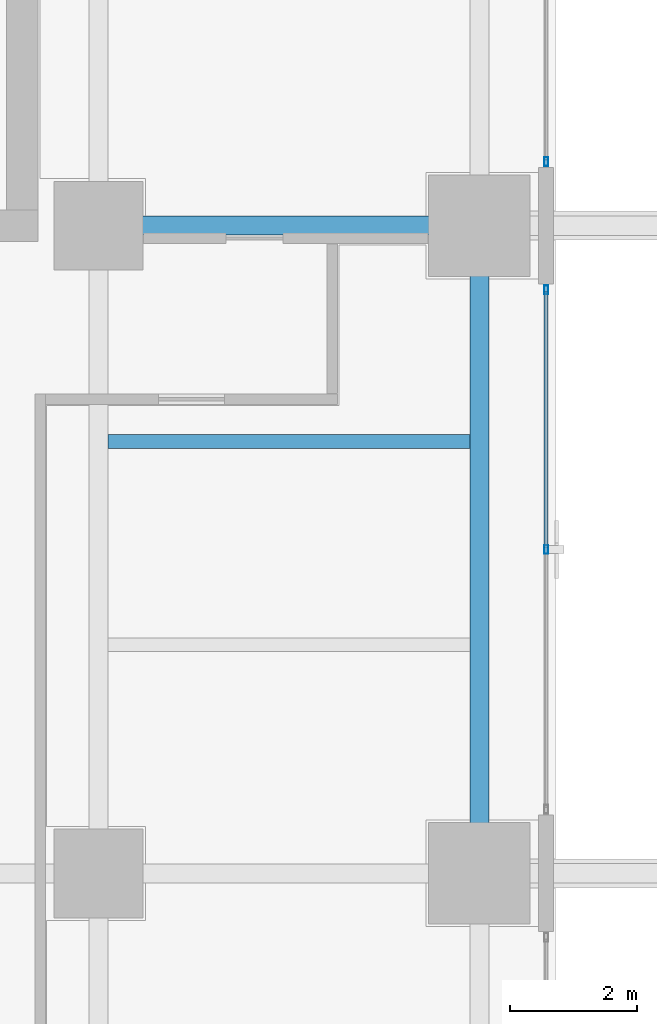
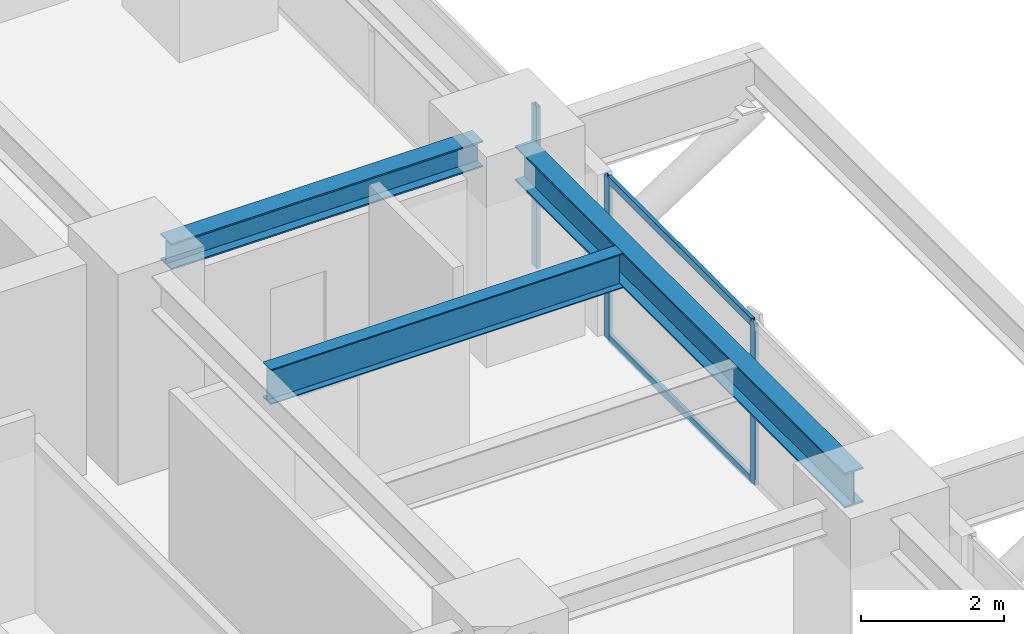
# One storey, part 18 of 31: 5 members, 3 beams, 2 elements without a shape of their own.
"""IFC4 building model written with IfcOpenShell, lengths in metres."""

from ifc_helpers import new_model, si_unit, direction, frame, origin, origin_2d, place, context, subcontext, project, spatial, hollow_rectangle, i_section, extrude, source, transform, mapped, material, layer, layer_set, material_profile, profile_set, type_object, element, aggregate, save


model = new_model("IFC4")

# Units and contexts
model_context = context("Model", 3, precision=1e-05, world=origin(), true_north=direction((0.0, 1.0)))
body_context = subcontext(model_context, "Body", "Model", "MODEL_VIEW")
ifc_project = project(units=[si_unit("LENGTHUNIT", "METRE"), si_unit("AREAUNIT", "SQUARE_METRE"), si_unit("VOLUMEUNIT", "CUBIC_METRE"), si_unit("PLANEANGLEUNIT", "RADIAN"), si_unit("MASSUNIT", "GRAM", prefix="KILO")], contexts=[model_context])

# Site, building, storey
site_placement = place(None, origin())
site = spatial("IfcSite", under=ifc_project, at=site_placement, CompositionType="ELEMENT")
building_placement = place(site_placement, origin())
building = spatial("IfcBuilding", under=site, at=building_placement, Name="Sumidabori Civic Tower", CompositionType="ELEMENT")
storey_placement = place(building_placement, frame((0.0, 0.0, 221.60009765625)))
storey = spatial("IfcBuildingStorey", under=building, at=storey_placement, Name="L57", CompositionType="ELEMENT", Elevation=221.60009765625)

# Beams
ifc_material_1 = material(Name="Steel SN490", Category="steel")
ifc_material_profile_1 = material_profile(ifc_material_1, i_section(OverallWidth=0.300048828125, OverallDepth=0.60009765625, WebThickness=0.015380859375, FlangeThickness=0.030029296875, at=origin_2d()), Name="HE 600 B")
ifc_profile_set_1 = profile_set([ifc_material_profile_1], Name="Steel SN490")
beam_type_1 = type_object("IfcBeamType", Name="BM-GIRD-600", PredefinedType="BEAM", material=ifc_profile_set_1)
shared_shape_1 = source(origin(), body_context, "Body", "SweptSolid", [
    extrude(i_section(OverallWidth=0.300048828125, OverallDepth=0.60009765625, WebThickness=0.015380859375, FlangeThickness=0.030029296875, at=origin_2d()), origin(), (0.0, 0.0, 1.0), 9.239990234375),
])
beam_1_placement = place(storey_placement, frame((22.800048828125, 0.47998046875, 3.079833984375), z_axis=(0.0, 1.0, 0.0), x_axis=(-1.0, 0.0, 0.0)))
element("IfcBeam", 1, at=beam_1_placement, inside=storey, type_object=beam_type_1, Name="Primary Girder L57 GY-23", PredefinedType="BEAM", context=body_context, shape_type="MappedRepresentation", body=[
    mapped(shared_shape_1, transform((0.0, 0.0, 0.0), x_axis=(1.0, 0.0, 0.0), y_axis=(0.0, 1.0, 0.0), z_axis=(0.0, 0.0, 1.0), scale=1.0)),
])
ifc_material_profile_2 = material_profile(ifc_material_1, i_section(OverallWidth=0.219970703125, OverallDepth=0.60009765625, WebThickness=0.011962890625, FlangeThickness=0.01904296875, at=origin_2d()), Name="IPE 600")
ifc_profile_set_2 = profile_set([ifc_material_profile_2], Name="Steel SN490")
beam_type_2 = type_object("IfcBeamType", Name="BM-JST-600", PredefinedType="JOIST", material=ifc_profile_set_2)
shared_shape_2 = source(origin(), body_context, "Body", "SweptSolid", [
    extrude(i_section(OverallWidth=0.219970703125, OverallDepth=0.60009765625, WebThickness=0.011962890625, FlangeThickness=0.01904296875, at=origin_2d()), origin(), (0.0, 0.0, 1.0), 5.699951171875),
])
beam_2_placement = place(storey_placement, frame((16.949951171875, 6.800048828125, 3.079833984375), z_axis=(1.0, 0.0, 0.0), x_axis=(0.0, 1.0, 0.0)))
element("IfcBeam", 2, at=beam_2_placement, inside=storey, type_object=beam_type_2, Name="Outer Bay Floor Joist L57 JSTO-32", PredefinedType="JOIST", context=body_context, shape_type="MappedRepresentation", body=[
    mapped(shared_shape_2, transform((0.0, 0.0, 0.0), x_axis=(1.0, 0.0, 0.0), y_axis=(0.0, 1.0, 0.0), z_axis=(0.0, 0.0, 1.0), scale=1.0)),
])
ifc_material_profile_3 = material_profile(ifc_material_1, i_section(OverallWidth=0.300048828125, OverallDepth=0.449951171875, WebThickness=0.013916015625, FlangeThickness=0.02587890625, at=origin_2d()), Name="HE 450 B")
ifc_profile_set_3 = profile_set([ifc_material_profile_3], Name="Steel SN490")
beam_type_3 = type_object("IfcBeamType", Name="BM-GIRD-450", PredefinedType="BEAM", material=ifc_profile_set_3)
shared_shape_3 = source(origin(), body_context, "Body", "SweptSolid", [
    extrude(i_section(OverallWidth=0.300048828125, OverallDepth=0.449951171875, WebThickness=0.013916015625, FlangeThickness=0.02587890625, at=origin_2d()), origin(), (0.0, 0.0, 1.0), 5.0400390625),
])
beam_3_placement = place(storey_placement, frame((17.280029296875, 10.199951171875, 3.15478515625), z_axis=(1.0, 0.0, 0.0), x_axis=(0.0, 1.0, 0.0)))
element("IfcBeam", 3, at=beam_3_placement, inside=storey, type_object=beam_type_3, Name="Primary Girder L57 GX-10", PredefinedType="BEAM", context=body_context, shape_type="MappedRepresentation", body=[
    mapped(shared_shape_3, transform((0.0, 0.0, 0.0), x_axis=(1.0, 0.0, 0.0), y_axis=(0.0, 1.0, 0.0), z_axis=(0.0, 0.0, 1.0), scale=1.0)),
])

# Curtain wall, members
ifc_material_2 = material(Name="Anodised Bronze Aluminium AW-6063-T6", Category="aluminium")
ifc_layer = layer(ifc_material_2, 0.179931640625, Name="Anodised Bronze Aluminium AW-6063-T6")
ifc_layer_set = layer_set([ifc_layer], Name="Anodised Bronze Aluminium AW-6063-T6")
curtain_wall_type = type_object("IfcCurtainWallType", Name="CW-SYS-5", PredefinedType="NOTDEFINED", material=ifc_layer_set)
curtain_wall_1_placement = place(storey_placement, origin())
curtain_wall_1 = element("IfcCurtainWall", 4, at=curtain_wall_1_placement, inside=storey, type_object=curtain_wall_type, Name="Curtain Wall CW:L57:R15", PredefinedType="NOTDEFINED")
ifc_material_profile_4 = material_profile(ifc_material_2, hollow_rectangle(XDim=0.06005859375, YDim=0.139892578125, WallThickness=0.0048828125, at=origin_2d()), Name="ALU MULLION 140x60")
ifc_profile_set_4 = profile_set([ifc_material_profile_4], Name="Anodised Bronze Aluminium AW-6063-T6")
member_type_1 = type_object("IfcMemberType", Name="CW-MUL-140", PredefinedType="MULLION", material=ifc_profile_set_4)
shared_shape_4 = source(origin(), body_context, "Body", "SweptSolid", [
    extrude(hollow_rectangle(XDim=0.06005859375, YDim=0.139892578125, WallThickness=0.0048828125, at=origin_2d()), origin(), (0.0, 0.0, 1.0), 2.760009765625),
])
member_1_placement = place(storey_placement, frame((23.85009765625, 5.10009765625, 0.0), z_axis=(0.0, 0.0, 1.0), x_axis=(-1.0, 0.0, 0.0)))
member_1 = element("IfcMember", 5, at=member_1_placement, type_object=member_type_1, Name="CW-5 mullion 2", PredefinedType="MULLION", context=body_context, shape_type="MappedRepresentation", body=[
    mapped(shared_shape_4, transform((0.0, 0.0, 0.0), x_axis=(1.0, 0.0, 0.0), y_axis=(0.0, 1.0, 0.0), z_axis=(0.0, 0.0, 1.0), scale=1.0)),
])
member_2_placement = place(storey_placement, frame((23.85009765625, 9.18994140625, 0.0), z_axis=(0.0, 0.0, 1.0), x_axis=(-1.0, 0.0, 0.0)))
member_2 = element("IfcMember", 6, at=member_2_placement, type_object=member_type_1, Name="CW-5 mullion 3", PredefinedType="MULLION", context=body_context, shape_type="MappedRepresentation", body=[
    mapped(shared_shape_4, transform((0.0, 0.0, 0.0), x_axis=(1.0, 0.0, 0.0), y_axis=(0.0, 1.0, 0.0), z_axis=(0.0, 0.0, 1.0), scale=1.0)),
])

# Curtain wall, member
curtain_wall_2_placement = place(storey_placement, origin())
curtain_wall_2 = element("IfcCurtainWall", 7, at=curtain_wall_2_placement, inside=storey, type_object=curtain_wall_type, Name="Curtain Wall CW:L57:R16", PredefinedType="NOTDEFINED")
member_3_placement = place(storey_placement, frame((23.85009765625, 11.2099609375, 0.0), z_axis=(0.0, 0.0, 1.0), x_axis=(-1.0, 0.0, 0.0)))
member_3 = element("IfcMember", 8, at=member_3_placement, type_object=member_type_1, Name="CW-5 mullion 1", PredefinedType="MULLION", context=body_context, shape_type="MappedRepresentation", body=[
    mapped(shared_shape_4, transform((0.0, 0.0, 0.0), x_axis=(1.0, 0.0, 0.0), y_axis=(0.0, 1.0, 0.0), z_axis=(0.0, 0.0, 1.0), scale=1.0)),
])
aggregate(curtain_wall_2, [member_3])

# Member
ifc_material_profile_5 = material_profile(ifc_material_2, hollow_rectangle(XDim=0.06005859375, YDim=0.1298828125, WallThickness=0.0048828125, at=origin_2d()), Name="ALU TRANSOM 130x60")
ifc_profile_set_5 = profile_set([ifc_material_profile_5], Name="Anodised Bronze Aluminium AW-6063-T6")
member_type_2 = type_object("IfcMemberType", Name="CW-TRN-130", PredefinedType="USERDEFINED", material=ifc_profile_set_5)
shared_shape_5 = source(origin(), body_context, "Body", "SweptSolid", [
    extrude(hollow_rectangle(XDim=0.06005859375, YDim=0.1298828125, WallThickness=0.0048828125, at=origin_2d()), origin(), (0.0, 0.0, 1.0), 4.030029296875),
])
member_4_placement = place(storey_placement, frame((23.85009765625, 5.1298828125, 0.02978515625), z_axis=(0.0, 1.0, 0.0), x_axis=(-1.0, 0.0, 0.0)))
member_4 = element("IfcMember", 9, at=member_4_placement, type_object=member_type_2, Name="CW-5 transom 2.1", ObjectType="TRANSOM", PredefinedType="USERDEFINED", context=body_context, shape_type="MappedRepresentation", body=[
    mapped(shared_shape_5, transform((0.0, 0.0, 0.0), x_axis=(1.0, 0.0, 0.0), y_axis=(0.0, 1.0, 0.0), z_axis=(0.0, 0.0, 1.0), scale=1.0)),
])

member_5_placement = place(storey_placement, frame((23.85009765625, 5.1298828125, 2.72998046875), z_axis=(0.0, 1.0, 0.0), x_axis=(-1.0, 0.0, 0.0)))
member_5 = element("IfcMember", 10, at=member_5_placement, type_object=member_type_2, Name="CW-5 transom 2.2", ObjectType="TRANSOM", PredefinedType="USERDEFINED", context=body_context, shape_type="MappedRepresentation", body=[
    mapped(shared_shape_5, transform((0.0, 0.0, 0.0), x_axis=(1.0, 0.0, 0.0), y_axis=(0.0, 1.0, 0.0), z_axis=(0.0, 0.0, 1.0), scale=1.0)),
])

aggregate(curtain_wall_1, [member_1, member_2, member_4, member_5])

save(model, "model.ifc")
